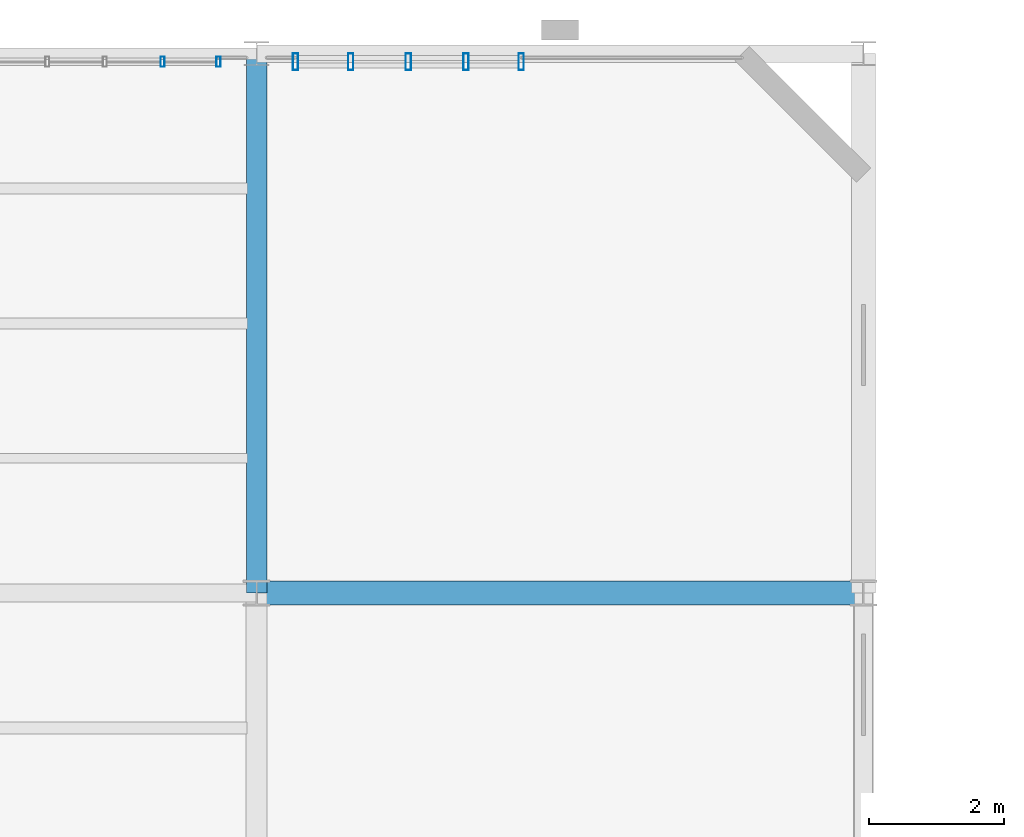
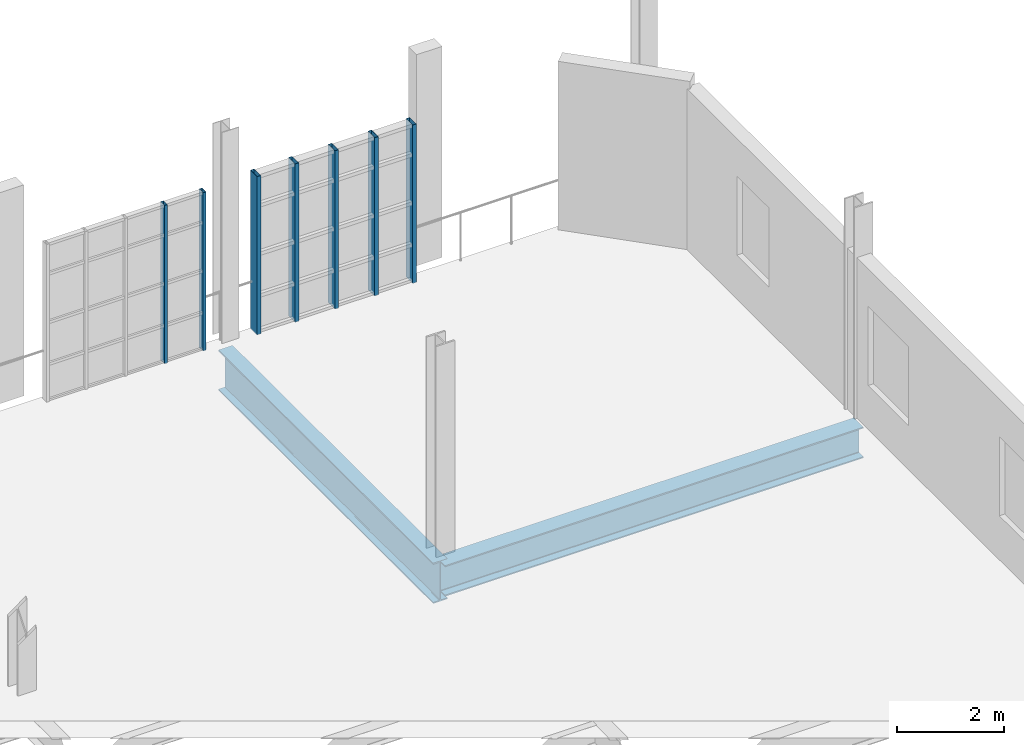
# One storey, part 69 of 118: 7 members, 2 beams, 2 elements without a shape of their own.
"""IFC4 building model written with IfcOpenShell, lengths in metres."""

from ifc_helpers import new_model, si_unit, direction, frame, origin, origin_2d, place, context, subcontext, project, spatial, hollow_rectangle, i_section, extrude, material, layer, layer_set, material_profile, profile_set, type_object, element, aggregate, save


model = new_model("IFC4")

# Units and contexts
model_context = context("Model", 3, precision=1e-05, world=origin(), true_north=direction((0.0, 1.0)))
body_context = subcontext(model_context, "Body", "Model", "MODEL_VIEW")
ifc_project = project(units=[si_unit("LENGTHUNIT", "METRE"), si_unit("AREAUNIT", "SQUARE_METRE"), si_unit("VOLUMEUNIT", "CUBIC_METRE"), si_unit("PLANEANGLEUNIT", "RADIAN"), si_unit("MASSUNIT", "GRAM", prefix="KILO"), si_unit("THERMODYNAMICTEMPERATUREUNIT", "KELVIN"), si_unit("POWERUNIT", "WATT")], contexts=[model_context])

# Site, building, storey
site_placement = place(None, origin())
site = spatial("IfcSite", under=ifc_project, at=site_placement, CompositionType="ELEMENT")
building_placement = place(site_placement, origin())
building = spatial("IfcBuilding", under=site, at=building_placement, Name="Zelmaris Science Centre", CompositionType="ELEMENT")
storey_placement = place(building_placement, frame((0.0, 0.0, 15.60009765625)))
storey = spatial("IfcBuildingStorey", under=building, at=storey_placement, Name="L03", CompositionType="ELEMENT", Elevation=15.60009765625)

# Curtain wall, members
ifc_material_1 = material(Name="Anodised architectural aluminium 6063-T6", Category="aluminium")
ifc_layer_1 = layer(ifc_material_1, 0.219970703125, Name="Anodised architectural aluminium 6063-T6")
ifc_layer_set_1 = layer_set([ifc_layer_1], Name="Anodised architectural aluminium 6063-T6")
curtain_wall_type_1 = type_object("IfcCurtainWallType", Name="Curtain Wall CW-04", PredefinedType="USERDEFINED", material=ifc_layer_set_1)
curtain_wall_1_placement = place(storey_placement, origin())
curtain_wall_1 = element("IfcCurtainWall", 1, at=curtain_wall_1_placement, inside=storey, type_object=curtain_wall_type_1, Name="L03 Unitised curtain wall 288", ObjectType="GLAZED CURTAIN WALL", PredefinedType="USERDEFINED")
ifc_material_profile_1 = material_profile(ifc_material_1, hollow_rectangle(XDim=0.06005859375, YDim=0.14990234375, WallThickness=0.00341796875, at=origin_2d()), Name="ALU-MUL-60X150")
ifc_profile_set_1 = profile_set([ifc_material_profile_1], Name="Anodised architectural aluminium 6063-T6")
member_type_1 = type_object("IfcMemberType", Name="ALU-MUL-60X150", PredefinedType="MULLION", material=ifc_profile_set_1)
member_1_placement = place(storey_placement, frame((97.60498046875, 87.8798828125, -0.01513671875), z_axis=(0.0, 0.0, 1.0), x_axis=(1.0, 0.0, 0.0)))
member_1 = element("IfcMember", 2, at=member_1_placement, type_object=member_type_1, Name="CW-04 mullion 4", PredefinedType="MULLION", context=body_context, shape_type="SweptSolid", body=[
    extrude(hollow_rectangle(XDim=0.06005859375, YDim=0.14990234375, WallThickness=0.00341796875, at=origin_2d()), origin(), (0.0, 0.0, 1.0), 3.60302734375),
])
member_2_placement = place(storey_placement, frame((98.43408203125, 87.8798828125, -0.01513671875), z_axis=(0.0, 0.0, 1.0), x_axis=(1.0, 0.0, 0.0)))
member_2 = element("IfcMember", 3, at=member_2_placement, type_object=member_type_1, Name="CW-04 mullion 5", PredefinedType="MULLION", context=body_context, shape_type="SweptSolid", body=[
    extrude(hollow_rectangle(XDim=0.06005859375, YDim=0.14990234375, WallThickness=0.00341796875, at=origin_2d()), origin(), (0.0, 0.0, 1.0), 3.60302734375),
])
aggregate(curtain_wall_1, [member_1, member_2])

ifc_layer_2 = layer(ifc_material_1, 0.18994140625, Name="Anodised architectural aluminium 6063-T6")
ifc_layer_set_2 = layer_set([ifc_layer_2], Name="Anodised architectural aluminium 6063-T6")
curtain_wall_type_2 = type_object("IfcCurtainWallType", Name="Curtain Wall CW-01", PredefinedType="USERDEFINED", material=ifc_layer_set_2)
curtain_wall_2_placement = place(storey_placement, origin())
curtain_wall_2 = element("IfcCurtainWall", 4, at=curtain_wall_2_placement, inside=storey, type_object=curtain_wall_type_2, Name="L03 Unitised curtain wall 289", ObjectType="GLAZED CURTAIN WALL", PredefinedType="USERDEFINED")
ifc_material_profile_2 = material_profile(ifc_material_1, hollow_rectangle(XDim=0.080078125, YDim=0.25, WallThickness=0.0048828125, at=origin_2d()), Name="ALU-MUL-80X250")
ifc_profile_set_2 = profile_set([ifc_material_profile_2], Name="Anodised architectural aluminium 6063-T6")
member_type_2 = type_object("IfcMemberType", Name="ALU-MUL-80X250", PredefinedType="MULLION", material=ifc_profile_set_2)
member_3_placement = place(storey_placement, frame((99.575927734375, 87.8798828125, -0.01513671875), z_axis=(0.0, 0.0, 1.0), x_axis=(1.0, 0.0, 0.0)))
member_3 = element("IfcMember", 5, at=member_3_placement, type_object=member_type_2, Name="CW-01 mullion 1", PredefinedType="MULLION", context=body_context, shape_type="SweptSolid", body=[
    extrude(hollow_rectangle(XDim=0.080078125, YDim=0.25, WallThickness=0.0048828125, at=origin_2d()), origin(), (0.0, 0.0, 1.0), 3.60302734375),
])
member_4_placement = place(storey_placement, frame((100.39501953125, 87.8798828125, -0.01513671875), z_axis=(0.0, 0.0, 1.0), x_axis=(1.0, 0.0, 0.0)))
member_4 = element("IfcMember", 6, at=member_4_placement, type_object=member_type_2, Name="CW-01 mullion 2", PredefinedType="MULLION", context=body_context, shape_type="SweptSolid", body=[
    extrude(hollow_rectangle(XDim=0.080078125, YDim=0.25, WallThickness=0.0048828125, at=origin_2d()), origin(), (0.0, 0.0, 1.0), 3.60302734375),
])
member_5_placement = place(storey_placement, frame((101.25, 87.8798828125, -0.01513671875), z_axis=(0.0, 0.0, 1.0), x_axis=(1.0, 0.0, 0.0)))
member_5 = element("IfcMember", 7, at=member_5_placement, type_object=member_type_2, Name="CW-01 mullion 3", PredefinedType="MULLION", context=body_context, shape_type="SweptSolid", body=[
    extrude(hollow_rectangle(XDim=0.080078125, YDim=0.25, WallThickness=0.0048828125, at=origin_2d()), origin(), (0.0, 0.0, 1.0), 3.60302734375),
])
member_6_placement = place(storey_placement, frame((102.10498046875, 87.8798828125, -0.01513671875), z_axis=(0.0, 0.0, 1.0), x_axis=(1.0, 0.0, 0.0)))
member_6 = element("IfcMember", 8, at=member_6_placement, type_object=member_type_2, Name="CW-01 mullion 4", PredefinedType="MULLION", context=body_context, shape_type="SweptSolid", body=[
    extrude(hollow_rectangle(XDim=0.080078125, YDim=0.25, WallThickness=0.0048828125, at=origin_2d()), origin(), (0.0, 0.0, 1.0), 3.60302734375),
])
member_7_placement = place(storey_placement, frame((102.924072265625, 87.8798828125, -0.01513671875), z_axis=(0.0, 0.0, 1.0), x_axis=(1.0, 0.0, 0.0)))
member_7 = element("IfcMember", 9, at=member_7_placement, type_object=member_type_2, Name="CW-01 mullion 5", PredefinedType="MULLION", context=body_context, shape_type="SweptSolid", body=[
    extrude(hollow_rectangle(XDim=0.080078125, YDim=0.25, WallThickness=0.0048828125, at=origin_2d()), origin(), (0.0, 0.0, 1.0), 3.60302734375),
])
aggregate(curtain_wall_2, [member_3, member_4, member_5, member_6, member_7])

# Beams
ifc_material_2 = material(Name="Steel ASTM A992 Grade 50", Category="steel")
ifc_material_profile_3 = material_profile(ifc_material_2, i_section(OverallWidth=0.304931640625, OverallDepth=0.9189453125, WebThickness=0.017333984375, FlangeThickness=0.02783203125, FilletRadius=0.02392578125, at=origin_2d()), Name="W36X170")
ifc_profile_set_3 = profile_set([ifc_material_profile_3], Name="Steel ASTM A992 Grade 50")
beam_type_1 = type_object("IfcBeamType", Name="Beam G-26 W36X170", PredefinedType="BEAM", material=ifc_profile_set_3)
beam_1_placement = place(storey_placement, frame((99.0, 80.0, -0.719482421875), z_axis=(0.0, 1.0, 0.0), x_axis=(-1.0, 0.0, 0.0)))
element("IfcBeam", 10, at=beam_1_placement, inside=storey, type_object=beam_type_1, Name="L03 North-south girder 697", PredefinedType="BEAM", context=body_context, shape_type="SweptSolid", body=[
    extrude(i_section(OverallWidth=0.304931640625, OverallDepth=0.9189453125, WebThickness=0.017333984375, FlangeThickness=0.02783203125, FilletRadius=0.02392578125, at=origin_2d()), origin(), (0.0, 0.0, 1.0), 8.0),
])
ifc_material_profile_4 = material_profile(ifc_material_2, i_section(OverallWidth=0.35595703125, OverallDepth=0.700927734375, WebThickness=0.016845703125, FlangeThickness=0.02734375, FilletRadius=0.01806640625, at=origin_2d()), Name="W27X161")
ifc_profile_set_4 = profile_set([ifc_material_profile_4], Name="Steel ASTM A992 Grade 50")
beam_type_2 = type_object("IfcBeamType", Name="Beam G-35 W27X161", PredefinedType="BEAM", material=ifc_profile_set_4)
beam_2_placement = place(storey_placement, frame((99.0, 80.0, -0.610595703125), z_axis=(1.0, 0.0, 0.0), x_axis=(0.0, 1.0, 0.0)))
element("IfcBeam", 11, at=beam_2_placement, inside=storey, type_object=beam_type_2, Name="L03 East-west girder 768", PredefinedType="BEAM", context=body_context, shape_type="SweptSolid", body=[
    extrude(i_section(OverallWidth=0.35595703125, OverallDepth=0.700927734375, WebThickness=0.016845703125, FlangeThickness=0.02734375, FilletRadius=0.01806640625, at=origin_2d()), origin(), (0.0, 0.0, 1.0), 9.0),
])

save(model, "model.ifc")
